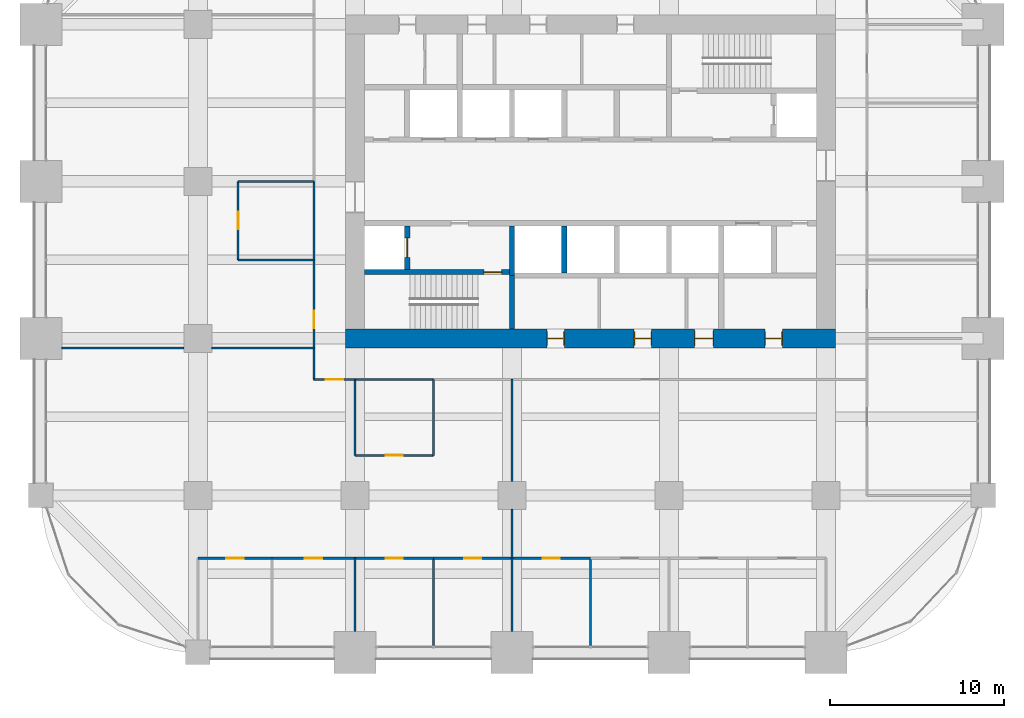
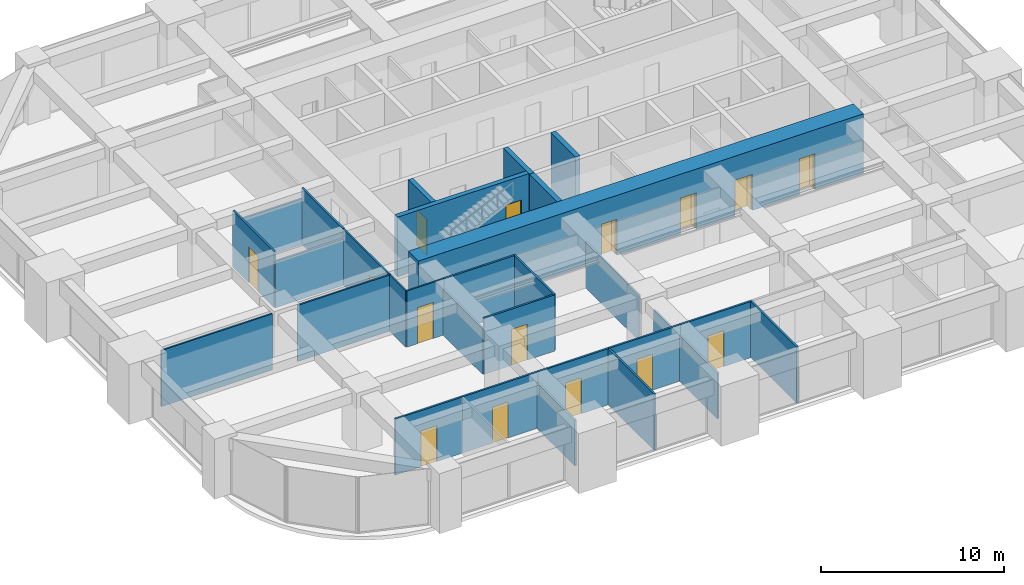
# One storey, part 29 of 32: 29 walls, 15 doors, 15 openings.
"""IFC4 building model written with IfcOpenShell, lengths in metres."""

from ifc_helpers import new_model, si_unit, direction, frame, frame_2d, origin, place, context, subcontext, project, spatial, rectangle, extrude, material, layer, layer_set, type_object, element, fill, save


model = new_model("IFC4")

# Units and contexts
model_context = context("Model", 3, precision=1e-05, world=origin(), true_north=direction((0.0, 1.0)))
body_context = subcontext(model_context, "Body", "Model", "MODEL_VIEW")
ifc_project = project(units=[si_unit("LENGTHUNIT", "METRE"), si_unit("AREAUNIT", "SQUARE_METRE"), si_unit("VOLUMEUNIT", "CUBIC_METRE"), si_unit("PLANEANGLEUNIT", "RADIAN"), si_unit("MASSUNIT", "GRAM", prefix="KILO")], contexts=[model_context])

# Site, building, storey
site_placement = place(None, origin())
site = spatial("IfcSite", under=ifc_project, at=site_placement, CompositionType="ELEMENT")
building_placement = place(site_placement, origin())
building = spatial("IfcBuilding", under=site, at=building_placement, Name="Zorevar Civic Tower", CompositionType="ELEMENT")
storey_placement = place(building_placement, frame((0.0, 0.0, 182.199951171875)))
storey = spatial("IfcBuildingStorey", under=building, at=storey_placement, Name="L44", CompositionType="ELEMENT", Elevation=182.199951171875)

# Wall, openings, doors
ifc_material_1 = material(Name="Concrete C50/60", Category="concrete")
ifc_layer_1 = layer(ifc_material_1, 1.10009765625)
ifc_layer_set_1 = layer_set([ifc_layer_1], Name="Core wall 1100")
wall_type_1 = type_object("IfcWallType", Name="Core wall 1100", PredefinedType="SHEAR", material=ifc_layer_set_1)
wall_1_placement = place(storey_placement, frame((17.449951171875, 18.0, 0.0), z_axis=(0.0, 0.0, 1.0), x_axis=(1.0, 0.0, 0.0)))
wall_1 = element("IfcWall", 1, at=wall_1_placement, inside=storey, type_object=wall_type_1, Name="Core wall S L44", PredefinedType="SHEAR", context=body_context, shape_type="SweptSolid", body=[
    extrude(rectangle(XDim=28.10009765625, YDim=1.10009765625, at=frame_2d((14.050048828125, 0.0))), origin(), (0.0, 0.0, 1.0), 4.0),
])
opening_1_placement = place(wall_1_placement, frame((11.550048828125, 0.0, 0.0)))
opening_1 = element("IfcOpeningElement", 2, at=opening_1_placement, cuts=wall_1, Name="Opening L44.03", PredefinedType="OPENING", context=body_context, shape_type="SweptSolid", body=[
    extrude(rectangle(XDim=1.0, YDim=2.39990234375, at=frame_2d((0.5, 1.199951171875))), frame((0.0, 0.56005859375, 0.0), z_axis=(0.0, -1.0, 0.0), x_axis=(1.0, 0.0, 0.0)), (0.0, 0.0, 1.0), 1.1201171875),
])
opening_2_placement = place(wall_1_placement, frame((16.550048828125, 0.0, 0.0)))
opening_2 = element("IfcOpeningElement", 3, at=opening_2_placement, cuts=wall_1, Name="Opening L44.04", PredefinedType="OPENING", context=body_context, shape_type="SweptSolid", body=[
    extrude(rectangle(XDim=1.0, YDim=2.39990234375, at=frame_2d((0.5, 1.199951171875))), frame((0.0, 0.56005859375, 0.0), z_axis=(0.0, -1.0, 0.0), x_axis=(1.0, 0.0, 0.0)), (0.0, 0.0, 1.0), 1.1201171875),
])
opening_3_placement = place(wall_1_placement, frame((20.0, 0.0, 0.0)))
opening_3 = element("IfcOpeningElement", 4, at=opening_3_placement, cuts=wall_1, Name="Opening L44.05", PredefinedType="OPENING", context=body_context, shape_type="SweptSolid", body=[
    extrude(rectangle(XDim=1.10009765625, YDim=2.39990234375, at=frame_2d((0.550048828125, 1.199951171875))), frame((0.0, 0.56005859375, 0.0), z_axis=(0.0, -1.0, 0.0), x_axis=(1.0, 0.0, 0.0)), (0.0, 0.0, 1.0), 1.1201171875),
])
opening_4_placement = place(wall_1_placement, frame((24.050048828125, 0.0, 0.0)))
opening_4 = element("IfcOpeningElement", 5, at=opening_4_placement, cuts=wall_1, Name="Opening L44.06", PredefinedType="OPENING", context=body_context, shape_type="SweptSolid", body=[
    extrude(rectangle(XDim=1.0, YDim=2.39990234375, at=frame_2d((0.5, 1.199951171875))), frame((0.0, 0.56005859375, 0.0), z_axis=(0.0, -1.0, 0.0), x_axis=(1.0, 0.0, 0.0)), (0.0, 0.0, 1.0), 1.1201171875),
])
ifc_material_2 = material(Name="Timber door set", Category="wood")
door_type_1 = type_object("IfcDoorType", Name="Door D1 1000x2400", OperationType="SINGLE_SWING_LEFT", PredefinedType="DOOR", material=ifc_material_2)
door_1_placement = place(opening_1_placement, origin())
door_1 = element("IfcDoor", 6, at=door_1_placement, inside=storey, type_object=door_type_1, Name="Door L44 02", OperationType="SINGLE_SWING_RIGHT", OverallHeight=2.39990234375, OverallWidth=1.0, PredefinedType="DOOR", context=body_context, shape_type="SweptSolid", body=[
    extrude(rectangle(XDim=1.0, YDim=2.39990234375, at=frame_2d((0.5, 1.199951171875))), frame((0.0, 0.02490234375, 0.0), z_axis=(0.0, -1.0, 0.0), x_axis=(1.0, 0.0, 0.0)), (0.0, 0.0, 1.0), 0.050048828125),
    extrude(rectangle(XDim=0.04, YDim=2.39990234375, at=frame_2d((0.02001953125, 1.199951171875))), frame((0.0, 0.39990234375, 0.0), z_axis=(0.0, -1.0, 0.0), x_axis=(1.0, 0.0, 0.0)), (0.0, 0.0, 1.0), 0.800048828125),
    extrude(rectangle(XDim=0.04, YDim=2.39990234375, at=frame_2d((0.97998046875, 1.199951171875))), frame((0.0, 0.39990234375, 0.0), z_axis=(0.0, -1.0, 0.0), x_axis=(1.0, 0.0, 0.0)), (0.0, 0.0, 1.0), 0.800048828125),
    extrude(rectangle(XDim=1.0, YDim=0.04, at=frame_2d((0.5, 2.3798828125))), frame((0.0, 0.39990234375, 0.0), z_axis=(0.0, -1.0, 0.0), x_axis=(1.0, 0.0, 0.0)), (0.0, 0.0, 1.0), 0.800048828125),
])
fill(opening_1, door_1)
door_2_placement = place(opening_2_placement, origin())
door_2 = element("IfcDoor", 7, at=door_2_placement, inside=storey, type_object=door_type_1, Name="Door L44 03", OperationType="SINGLE_SWING_LEFT", OverallHeight=2.39990234375, OverallWidth=1.0, PredefinedType="DOOR", context=body_context, shape_type="SweptSolid", body=[
    extrude(rectangle(XDim=1.0, YDim=2.39990234375, at=frame_2d((0.5, 1.199951171875))), frame((0.0, 0.02490234375, 0.0), z_axis=(0.0, -1.0, 0.0), x_axis=(1.0, 0.0, 0.0)), (0.0, 0.0, 1.0), 0.050048828125),
    extrude(rectangle(XDim=0.04, YDim=2.39990234375, at=frame_2d((0.02001953125, 1.199951171875))), frame((0.0, 0.39990234375, 0.0), z_axis=(0.0, -1.0, 0.0), x_axis=(1.0, 0.0, 0.0)), (0.0, 0.0, 1.0), 0.800048828125),
    extrude(rectangle(XDim=0.04, YDim=2.39990234375, at=frame_2d((0.97998046875, 1.199951171875))), frame((0.0, 0.39990234375, 0.0), z_axis=(0.0, -1.0, 0.0), x_axis=(1.0, 0.0, 0.0)), (0.0, 0.0, 1.0), 0.800048828125),
    extrude(rectangle(XDim=1.0, YDim=0.04, at=frame_2d((0.5, 2.3798828125))), frame((0.0, 0.39990234375, 0.0), z_axis=(0.0, -1.0, 0.0), x_axis=(1.0, 0.0, 0.0)), (0.0, 0.0, 1.0), 0.800048828125),
])
fill(opening_2, door_2)
door_3_placement = place(opening_4_placement, origin())
door_3 = element("IfcDoor", 8, at=door_3_placement, inside=storey, type_object=door_type_1, Name="Door L44 05", OperationType="SINGLE_SWING_LEFT", OverallHeight=2.39990234375, OverallWidth=1.0, PredefinedType="DOOR", context=body_context, shape_type="SweptSolid", body=[
    extrude(rectangle(XDim=1.0, YDim=2.39990234375, at=frame_2d((0.5, 1.199951171875))), frame((0.0, 0.02490234375, 0.0), z_axis=(0.0, -1.0, 0.0), x_axis=(1.0, 0.0, 0.0)), (0.0, 0.0, 1.0), 0.050048828125),
    extrude(rectangle(XDim=0.04, YDim=2.39990234375, at=frame_2d((0.02001953125, 1.199951171875))), frame((0.0, 0.39990234375, 0.0), z_axis=(0.0, -1.0, 0.0), x_axis=(1.0, 0.0, 0.0)), (0.0, 0.0, 1.0), 0.800048828125),
    extrude(rectangle(XDim=0.04, YDim=2.39990234375, at=frame_2d((0.97998046875, 1.199951171875))), frame((0.0, 0.39990234375, 0.0), z_axis=(0.0, -1.0, 0.0), x_axis=(1.0, 0.0, 0.0)), (0.0, 0.0, 1.0), 0.800048828125),
    extrude(rectangle(XDim=1.0, YDim=0.04, at=frame_2d((0.5, 2.3798828125))), frame((0.0, 0.39990234375, 0.0), z_axis=(0.0, -1.0, 0.0), x_axis=(1.0, 0.0, 0.0)), (0.0, 0.0, 1.0), 0.800048828125),
])
fill(opening_4, door_3)
ifc_material_3 = material(Name="Timber door set", Category="wood")
door_type_2 = type_object("IfcDoorType", Name="Door D5 1100x2400", OperationType="SINGLE_SWING_LEFT", PredefinedType="DOOR", material=ifc_material_3)
door_4_placement = place(opening_3_placement, origin())
door_4 = element("IfcDoor", 9, at=door_4_placement, inside=storey, type_object=door_type_2, Name="Door L44 04", OperationType="SINGLE_SWING_LEFT", OverallHeight=2.39990234375, OverallWidth=1.10009765625, PredefinedType="DOOR", context=body_context, shape_type="SweptSolid", body=[
    extrude(rectangle(XDim=1.10009765625, YDim=2.39990234375, at=frame_2d((0.550048828125, 1.199951171875))), frame((0.0, 0.02490234375, 0.0), z_axis=(0.0, -1.0, 0.0), x_axis=(1.0, 0.0, 0.0)), (0.0, 0.0, 1.0), 0.050048828125),
    extrude(rectangle(XDim=0.04, YDim=2.39990234375, at=frame_2d((0.02001953125, 1.199951171875))), frame((0.0, 0.43994140625, 0.0), z_axis=(0.0, -1.0, 0.0), x_axis=(1.0, 0.0, 0.0)), (0.0, 0.0, 1.0), 0.880126953125),
    extrude(rectangle(XDim=0.04, YDim=2.39990234375, at=frame_2d((1.080078125, 1.199951171875))), frame((0.0, 0.43994140625, 0.0), z_axis=(0.0, -1.0, 0.0), x_axis=(1.0, 0.0, 0.0)), (0.0, 0.0, 1.0), 0.880126953125),
    extrude(rectangle(XDim=1.10009765625, YDim=0.04, at=frame_2d((0.550048828125, 2.3798828125))), frame((0.0, 0.43994140625, 0.0), z_axis=(0.0, -1.0, 0.0), x_axis=(1.0, 0.0, 0.0)), (0.0, 0.0, 1.0), 0.880126953125),
])
fill(opening_3, door_4)

# Wall, opening, door
ifc_material_4 = material(Name="Laminated glass in black aluminium frame", Category="aluminium")
ifc_layer_2 = layer(ifc_material_4, 0.10009765625)
ifc_layer_set_2 = layer_set([ifc_layer_2], Name="Glazed partition 100")
wall_type_2 = type_object("IfcWallType", Name="Glazed partition 100", PredefinedType="PARTITIONING", material=ifc_layer_set_2)
wall_2_placement = place(storey_placement, frame((15.64990234375, 15.64990234375, 0.0), z_axis=(0.0, 0.0, 1.0), x_axis=(1.0, 0.0, 0.0)))
wall_2 = element("IfcWall", 10, at=wall_2_placement, inside=storey, type_object=wall_type_2, Name="Glazed partition 100 L44", PredefinedType="PARTITIONING", context=body_context, shape_type="SweptSolid", body=[
    extrude(rectangle(XDim=2.35009765625, YDim=0.10009765625, at=frame_2d((1.175048828125, 0.0))), origin(), (0.0, 0.0, 1.0), 3.75),
])
opening_5_placement = place(wall_2_placement, frame((0.675048828125, 0.0, 0.0)))
opening_5 = element("IfcOpeningElement", 11, at=opening_5_placement, cuts=wall_2, Name="Opening L44.26", PredefinedType="OPENING", context=body_context, shape_type="SweptSolid", body=[
    extrude(rectangle(XDim=1.0, YDim=2.39990234375, at=frame_2d((0.5, 1.199951171875))), frame((0.0, 0.06005859375, 0.0), z_axis=(0.0, -1.0, 0.0), x_axis=(1.0, 0.0, 0.0)), (0.0, 0.0, 1.0), 0.1201171875),
])
ifc_material_5 = material(Name="Timber door set", Category="wood")
door_type_3 = type_object("IfcDoorType", Name="Glazed door GD1 1000x2400", OperationType="SINGLE_SWING_LEFT", PredefinedType="DOOR", material=ifc_material_5)
door_5_placement = place(opening_5_placement, origin())
door_5 = element("IfcDoor", 12, at=door_5_placement, inside=storey, type_object=door_type_3, Name="Door L44 D1", OperationType="SINGLE_SWING_RIGHT", OverallHeight=2.39990234375, OverallWidth=1.0, PredefinedType="DOOR", context=body_context, shape_type="SweptSolid", body=[
    extrude(rectangle(XDim=1.0, YDim=2.39990234375, at=frame_2d((0.5, 1.199951171875))), frame((0.0, 0.02001953125, 0.0), z_axis=(0.0, -1.0, 0.0), x_axis=(1.0, 0.0, 0.0)), (0.0, 0.0, 1.0), 0.0400390625),
])
fill(opening_5, door_5)

# Walls
wall_3_placement = place(storey_placement, frame((1.199951171875, 17.449951171875, 0.0), z_axis=(0.0, 0.0, 1.0), x_axis=(1.0, 0.0, 0.0)))
element("IfcWall", 13, at=wall_3_placement, inside=storey, type_object=wall_type_2, Name="Glazed partition 100 L44", PredefinedType="PARTITIONING", context=body_context, shape_type="SweptSolid", body=[
    extrude(rectangle(XDim=7.0, YDim=0.10009765625, at=frame_2d((3.5, 0.0))), origin(), (0.0, 0.0, 1.0), 3.75),
])
wall_4_placement = place(storey_placement, frame((9.800048828125, 17.449951171875, 0.0), z_axis=(0.0, 0.0, 1.0), x_axis=(1.0, 0.0, 0.0)))
element("IfcWall", 14, at=wall_4_placement, inside=storey, type_object=wall_type_2, Name="Glazed partition 100 L44", PredefinedType="PARTITIONING", context=body_context, shape_type="SweptSolid", body=[
    extrude(rectangle(XDim=5.849853515625, YDim=0.10009765625, at=frame_2d((2.9248046875, 0.0))), origin(), (0.0, 0.0, 1.0), 3.75),
])

# Wall, opening, door
wall_5_placement = place(storey_placement, frame((15.64990234375, 15.64990234375, 0.0), z_axis=(0.0, 0.0, 1.0), x_axis=(0.0, 1.0, 0.0)))
wall_5 = element("IfcWall", 15, at=wall_5_placement, inside=storey, type_object=wall_type_2, Name="Glazed partition 100 L44", PredefinedType="PARTITIONING", context=body_context, shape_type="SweptSolid", body=[
    extrude(rectangle(XDim=6.85009765625, YDim=0.10009765625, at=frame_2d((3.425048828125, 0.0))), origin(), (0.0, 0.0, 1.0), 3.75),
])
opening_6_placement = place(wall_5_placement, frame((2.925048828125, 0.0, 0.0)))
opening_6 = element("IfcOpeningElement", 16, at=opening_6_placement, cuts=wall_5, Name="Opening L44.31", PredefinedType="OPENING", context=body_context, shape_type="SweptSolid", body=[
    extrude(rectangle(XDim=1.0, YDim=2.39990234375, at=frame_2d((0.5, 1.199951171875))), frame((0.0, 0.06005859375, 0.0), z_axis=(0.0, -1.0, 0.0), x_axis=(1.0, 0.0, 0.0)), (0.0, 0.0, 1.0), 0.1201171875),
])
door_6_placement = place(opening_6_placement, origin())
door_6 = element("IfcDoor", 17, at=door_6_placement, inside=storey, type_object=door_type_3, Name="Door L44 D1", OperationType="SINGLE_SWING_RIGHT", OverallHeight=2.39990234375, OverallWidth=1.0, PredefinedType="DOOR", context=body_context, shape_type="SweptSolid", body=[
    extrude(rectangle(XDim=1.0, YDim=2.39990234375, at=frame_2d((0.5, 1.199951171875))), frame((0.0, 0.02001953125, 0.0), z_axis=(0.0, -1.0, 0.0), x_axis=(1.0, 0.0, 0.0)), (0.0, 0.0, 1.0), 0.0400390625),
])
fill(opening_6, door_6)

# Walls
wall_6_placement = place(storey_placement, frame((27.0, 5.39990234375, 0.0), z_axis=(0.0, 0.0, 1.0), x_axis=(0.0, 1.0, 0.0)))
element("IfcWall", 18, at=wall_6_placement, inside=storey, type_object=wall_type_2, Name="Glazed partition 100 L44", PredefinedType="PARTITIONING", context=body_context, shape_type="SweptSolid", body=[
    extrude(rectangle(XDim=2.800048828125, YDim=0.10009765625, at=frame_2d((1.39990234375, 0.0))), origin(), (0.0, 0.0, 1.0), 3.050048828125),
])
wall_7_placement = place(storey_placement, frame((27.0, 9.800048828125, 0.0), z_axis=(0.0, 0.0, 1.0), x_axis=(0.0, 1.0, 0.0)))
element("IfcWall", 19, at=wall_7_placement, inside=storey, type_object=wall_type_2, Name="Glazed partition 100 L44", PredefinedType="PARTITIONING", context=body_context, shape_type="SweptSolid", body=[
    extrude(rectangle(XDim=5.849853515625, YDim=0.10009765625, at=frame_2d((2.9248046875, 0.0))), origin(), (0.0, 0.0, 1.0), 3.050048828125),
])

# Wall, opening, door
ifc_material_6 = material(Name="Concrete C40/50", Category="concrete")
ifc_layer_3 = layer(ifc_material_6, 0.300048828125)
ifc_layer_set_3 = layer_set([ifc_layer_3], Name="Inner core wall 300")
wall_type_3 = type_object("IfcWallType", Name="Inner core wall 300", PredefinedType="SHEAR", material=ifc_layer_set_3)
wall_8_placement = place(storey_placement, frame((18.550048828125, 21.800048828125, 0.0), z_axis=(0.0, 0.0, 1.0), x_axis=(1.0, 0.0, 0.0)))
wall_8 = element("IfcWall", 20, at=wall_8_placement, inside=storey, type_object=wall_type_3, Name="Inner core wall S00 L44", PredefinedType="SHEAR", context=body_context, shape_type="SweptSolid", body=[
    extrude(rectangle(XDim=8.300048828125, YDim=0.300048828125, at=frame_2d((4.14990234375, 0.0))), origin(), (0.0, 0.0, 1.0), 4.0),
])
opening_7_placement = place(wall_8_placement, frame((6.85009765625, 0.0, 0.0)))
opening_7 = element("IfcOpeningElement", 21, at=opening_7_placement, cuts=wall_8, Name="Opening L44.11", PredefinedType="OPENING", context=body_context, shape_type="SweptSolid", body=[
    extrude(rectangle(XDim=1.0, YDim=2.39990234375, at=frame_2d((0.5, 1.199951171875))), frame((0.0, 0.159912109375, 0.0), z_axis=(0.0, -1.0, 0.0), x_axis=(1.0, 0.0, 0.0)), (0.0, 0.0, 1.0), 0.320068359375),
])
ifc_material_7 = material(Name="Steel door set", Category="steel")
door_type_4 = type_object("IfcDoorType", Name="Fire door FD1 1000x2400", OperationType="SINGLE_SWING_LEFT", PredefinedType="DOOR", material=ifc_material_7)
door_7_placement = place(opening_7_placement, origin())
door_7 = element("IfcDoor", 22, at=door_7_placement, inside=storey, type_object=door_type_4, Name="Door L44 10", OperationType="SINGLE_SWING_RIGHT", OverallHeight=2.39990234375, OverallWidth=1.0, PredefinedType="DOOR", context=body_context, shape_type="SweptSolid", body=[
    extrude(rectangle(XDim=1.0, YDim=2.39990234375, at=frame_2d((0.5, 1.199951171875))), frame((0.0, 0.030029296875, 0.0), z_axis=(0.0, -1.0, 0.0), x_axis=(1.0, 0.0, 0.0)), (0.0, 0.0, 1.0), 0.06005859375),
])
fill(opening_7, door_7)

# Wall
wall_9_placement = place(storey_placement, frame((27.0, 18.550048828125, 0.0), z_axis=(0.0, 0.0, 1.0), x_axis=(0.0, 1.0, 0.0)))
element("IfcWall", 23, at=wall_9_placement, inside=storey, type_object=wall_type_3, Name="Inner core wall S01 L44", PredefinedType="SHEAR", context=body_context, shape_type="SweptSolid", body=[
    extrude(rectangle(XDim=3.050048828125, YDim=0.300048828125, at=frame_2d((1.52490234375, 0.0))), origin(), (0.0, 0.0, 1.0), 4.0),
])

# Wall, opening, door
wall_10_placement = place(storey_placement, frame((21.0, 21.949951171875, 0.0), z_axis=(0.0, 0.0, 1.0), x_axis=(0.0, 1.0, 0.0)))
wall_10 = element("IfcWall", 24, at=wall_10_placement, inside=storey, type_object=wall_type_3, Name="Inner core wall S02 L44", PredefinedType="SHEAR", context=body_context, shape_type="SweptSolid", body=[
    extrude(rectangle(XDim=2.5, YDim=0.300048828125, at=frame_2d((1.25, 0.0))), origin(), (0.0, 0.0, 1.0), 4.0),
])
opening_8_placement = place(wall_10_placement, frame((0.699951171875, 0.0, 0.0)))
opening_8 = element("IfcOpeningElement", 25, at=opening_8_placement, cuts=wall_10, Name="Opening L44.FL1", PredefinedType="OPENING", context=body_context, shape_type="SweptSolid", body=[
    extrude(rectangle(XDim=1.10009765625, YDim=2.39990234375, at=frame_2d((0.550048828125, 1.199951171875))), frame((0.0, 0.159912109375, 0.0), z_axis=(0.0, -1.0, 0.0), x_axis=(1.0, 0.0, 0.0)), (0.0, 0.0, 1.0), 0.320068359375),
])
ifc_material_8 = material(Name="Steel door set", Category="steel")
door_type_5 = type_object("IfcDoorType", Name="Firefighting lift landing door LD3 1100x2400", OperationType="DOUBLE_DOOR_SLIDING", PredefinedType="DOOR", material=ifc_material_8)
door_8_placement = place(opening_8_placement, origin())
door_8 = element("IfcDoor", 26, at=door_8_placement, inside=storey, type_object=door_type_5, Name="Landing door FL1 L44", OperationType="DOUBLE_DOOR_SLIDING", OverallHeight=2.39990234375, OverallWidth=1.10009765625, PredefinedType="DOOR", context=body_context, shape_type="SweptSolid", body=[
    extrude(rectangle(XDim=1.10009765625, YDim=2.39990234375, at=frame_2d((0.550048828125, 1.199951171875))), frame((0.0, 0.030029296875, 0.0), z_axis=(0.0, -1.0, 0.0), x_axis=(1.0, 0.0, 0.0)), (0.0, 0.0, 1.0), 0.06005859375),
])
fill(opening_8, door_8)

# Walls
wall_11_placement = place(storey_placement, frame((30.0, 21.75, 0.0), z_axis=(0.0, 0.0, 1.0), x_axis=(0.0, 1.0, 0.0)))
element("IfcWall", 27, at=wall_11_placement, inside=storey, type_object=wall_type_3, Name="Inner core wall S05 L44", PredefinedType="SHEAR", context=body_context, shape_type="SweptSolid", body=[
    extrude(rectangle(XDim=2.699951171875, YDim=0.300048828125, at=frame_2d((1.35009765625, 0.0))), origin(), (0.0, 0.0, 1.0), 4.0),
])
wall_12_placement = place(storey_placement, frame((27.0, 21.60009765625, 0.0), z_axis=(0.0, 0.0, 1.0), x_axis=(0.0, 1.0, 0.0)))
element("IfcWall", 28, at=wall_12_placement, inside=storey, type_object=wall_type_3, Name="Inner core wall S10 L44", PredefinedType="SHEAR", context=body_context, shape_type="SweptSolid", body=[
    extrude(rectangle(XDim=2.849853515625, YDim=0.300048828125, at=frame_2d((1.4248046875, 0.0))), origin(), (0.0, 0.0, 1.0), 4.0),
])

# Wall, opening, door
ifc_material_9 = material(Name="Gypsum board on steel studs", Category="steel")
ifc_layer_4 = layer(ifc_material_9, 0.1201171875)
ifc_layer_set_4 = layer_set([ifc_layer_4], Name="Partition 120")
wall_type_4 = type_object("IfcWallType", Name="Partition 120", PredefinedType="PARTITIONING", material=ifc_layer_set_4)
wall_13_placement = place(storey_placement, frame((9.0, 5.39990234375, 0.0), z_axis=(0.0, 0.0, 1.0), x_axis=(1.0, 0.0, 0.0)))
wall_13 = element("IfcWall", 29, at=wall_13_placement, inside=storey, type_object=wall_type_4, Name="Partition 120 L44", PredefinedType="PARTITIONING", context=body_context, shape_type="SweptSolid", body=[
    extrude(rectangle(XDim=4.25, YDim=0.1201171875, at=frame_2d((2.125, 0.0))), origin(), (0.0, 0.0, 1.0), 3.75),
])
opening_9_placement = place(wall_13_placement, frame((1.625, 0.0, 0.0)))
opening_9 = element("IfcOpeningElement", 30, at=opening_9_placement, cuts=wall_13, Name="Opening L44.17", PredefinedType="OPENING", context=body_context, shape_type="SweptSolid", body=[
    extrude(rectangle(XDim=1.0, YDim=2.39990234375, at=frame_2d((0.5, 1.199951171875))), frame((0.0, 0.070068359375, 0.0), z_axis=(0.0, -1.0, 0.0), x_axis=(1.0, 0.0, 0.0)), (0.0, 0.0, 1.0), 0.14013671875),
])
door_9_placement = place(opening_9_placement, origin())
door_9 = element("IfcDoor", 31, at=door_9_placement, inside=storey, type_object=door_type_1, Name="Door L44 D1", OperationType="SINGLE_SWING_RIGHT", OverallHeight=2.39990234375, OverallWidth=1.0, PredefinedType="DOOR", context=body_context, shape_type="SweptSolid", body=[
    extrude(rectangle(XDim=1.0, YDim=2.39990234375, at=frame_2d((0.5, 1.199951171875))), frame((0.0, 0.02490234375, 0.0), z_axis=(0.0, -1.0, 0.0), x_axis=(1.0, 0.0, 0.0)), (0.0, 0.0, 1.0), 0.050048828125),
])
fill(opening_9, door_9)

wall_14_placement = place(storey_placement, frame((13.25, 5.39990234375, 0.0), z_axis=(0.0, 0.0, 1.0), x_axis=(1.0, 0.0, 0.0)))
wall_14 = element("IfcWall", 32, at=wall_14_placement, inside=storey, type_object=wall_type_4, Name="Partition 120 L44", PredefinedType="PARTITIONING", context=body_context, shape_type="SweptSolid", body=[
    extrude(rectangle(XDim=4.75, YDim=0.1201171875, at=frame_2d((2.375, 0.0))), origin(), (0.0, 0.0, 1.0), 3.75),
])
opening_10_placement = place(wall_14_placement, frame((1.875, 0.0, 0.0)))
opening_10 = element("IfcOpeningElement", 33, at=opening_10_placement, cuts=wall_14, Name="Opening L44.18", PredefinedType="OPENING", context=body_context, shape_type="SweptSolid", body=[
    extrude(rectangle(XDim=1.0, YDim=2.39990234375, at=frame_2d((0.5, 1.199951171875))), frame((0.0, 0.070068359375, 0.0), z_axis=(0.0, -1.0, 0.0), x_axis=(1.0, 0.0, 0.0)), (0.0, 0.0, 1.0), 0.14013671875),
])
door_10_placement = place(opening_10_placement, origin())
door_10 = element("IfcDoor", 34, at=door_10_placement, inside=storey, type_object=door_type_1, Name="Door L44 D1", OperationType="SINGLE_SWING_LEFT", OverallHeight=2.39990234375, OverallWidth=1.0, PredefinedType="DOOR", context=body_context, shape_type="SweptSolid", body=[
    extrude(rectangle(XDim=1.0, YDim=2.39990234375, at=frame_2d((0.5, 1.199951171875))), frame((0.0, 0.02490234375, 0.0), z_axis=(0.0, -1.0, 0.0), x_axis=(1.0, 0.0, 0.0)), (0.0, 0.0, 1.0), 0.050048828125),
])
fill(opening_10, door_10)

wall_15_placement = place(storey_placement, frame((18.0, 5.39990234375, 0.0), z_axis=(0.0, 0.0, 1.0), x_axis=(1.0, 0.0, 0.0)))
wall_15 = element("IfcWall", 35, at=wall_15_placement, inside=storey, type_object=wall_type_4, Name="Partition 120 L44", PredefinedType="PARTITIONING", context=body_context, shape_type="SweptSolid", body=[
    extrude(rectangle(XDim=4.5, YDim=0.1201171875, at=frame_2d((2.25, 0.0))), origin(), (0.0, 0.0, 1.0), 3.75),
])
opening_11_placement = place(wall_15_placement, frame((1.75, 0.0, 0.0)))
opening_11 = element("IfcOpeningElement", 36, at=opening_11_placement, cuts=wall_15, Name="Opening L44.19", PredefinedType="OPENING", context=body_context, shape_type="SweptSolid", body=[
    extrude(rectangle(XDim=1.0, YDim=2.39990234375, at=frame_2d((0.5, 1.199951171875))), frame((0.0, 0.070068359375, 0.0), z_axis=(0.0, -1.0, 0.0), x_axis=(1.0, 0.0, 0.0)), (0.0, 0.0, 1.0), 0.14013671875),
])
door_11_placement = place(opening_11_placement, origin())
door_11 = element("IfcDoor", 37, at=door_11_placement, inside=storey, type_object=door_type_1, Name="Door L44 D1", OperationType="SINGLE_SWING_LEFT", OverallHeight=2.39990234375, OverallWidth=1.0, PredefinedType="DOOR", context=body_context, shape_type="SweptSolid", body=[
    extrude(rectangle(XDim=1.0, YDim=2.39990234375, at=frame_2d((0.5, 1.199951171875))), frame((0.0, 0.02490234375, 0.0), z_axis=(0.0, -1.0, 0.0), x_axis=(1.0, 0.0, 0.0)), (0.0, 0.0, 1.0), 0.050048828125),
])
fill(opening_11, door_11)

wall_16_placement = place(storey_placement, frame((22.5, 5.39990234375, 0.0), z_axis=(0.0, 0.0, 1.0), x_axis=(1.0, 0.0, 0.0)))
wall_16 = element("IfcWall", 38, at=wall_16_placement, inside=storey, type_object=wall_type_4, Name="Partition 120 L44", PredefinedType="PARTITIONING", context=body_context, shape_type="SweptSolid", body=[
    extrude(rectangle(XDim=4.5, YDim=0.1201171875, at=frame_2d((2.25, 0.0))), origin(), (0.0, 0.0, 1.0), 3.75),
])
opening_12_placement = place(wall_16_placement, frame((1.75, 0.0, 0.0)))
opening_12 = element("IfcOpeningElement", 39, at=opening_12_placement, cuts=wall_16, Name="Opening L44.20", PredefinedType="OPENING", context=body_context, shape_type="SweptSolid", body=[
    extrude(rectangle(XDim=1.0, YDim=2.39990234375, at=frame_2d((0.5, 1.199951171875))), frame((0.0, 0.070068359375, 0.0), z_axis=(0.0, -1.0, 0.0), x_axis=(1.0, 0.0, 0.0)), (0.0, 0.0, 1.0), 0.14013671875),
])
door_12_placement = place(opening_12_placement, origin())
door_12 = element("IfcDoor", 40, at=door_12_placement, inside=storey, type_object=door_type_1, Name="Door L44 D1", OperationType="SINGLE_SWING_LEFT", OverallHeight=2.39990234375, OverallWidth=1.0, PredefinedType="DOOR", context=body_context, shape_type="SweptSolid", body=[
    extrude(rectangle(XDim=1.0, YDim=2.39990234375, at=frame_2d((0.5, 1.199951171875))), frame((0.0, 0.02490234375, 0.0), z_axis=(0.0, -1.0, 0.0), x_axis=(1.0, 0.0, 0.0)), (0.0, 0.0, 1.0), 0.050048828125),
])
fill(opening_12, door_12)

wall_17_placement = place(storey_placement, frame((27.0, 5.39990234375, 0.0), z_axis=(0.0, 0.0, 1.0), x_axis=(1.0, 0.0, 0.0)))
wall_17 = element("IfcWall", 41, at=wall_17_placement, inside=storey, type_object=wall_type_4, Name="Partition 120 L44", PredefinedType="PARTITIONING", context=body_context, shape_type="SweptSolid", body=[
    extrude(rectangle(XDim=4.5, YDim=0.1201171875, at=frame_2d((2.25, 0.0))), origin(), (0.0, 0.0, 1.0), 3.75),
])
opening_13_placement = place(wall_17_placement, frame((1.75, 0.0, 0.0)))
opening_13 = element("IfcOpeningElement", 42, at=opening_13_placement, cuts=wall_17, Name="Opening L44.21", PredefinedType="OPENING", context=body_context, shape_type="SweptSolid", body=[
    extrude(rectangle(XDim=1.0, YDim=2.39990234375, at=frame_2d((0.5, 1.199951171875))), frame((0.0, 0.070068359375, 0.0), z_axis=(0.0, -1.0, 0.0), x_axis=(1.0, 0.0, 0.0)), (0.0, 0.0, 1.0), 0.14013671875),
])
door_13_placement = place(opening_13_placement, origin())
door_13 = element("IfcDoor", 43, at=door_13_placement, inside=storey, type_object=door_type_1, Name="Door L44 D1", OperationType="SINGLE_SWING_RIGHT", OverallHeight=2.39990234375, OverallWidth=1.0, PredefinedType="DOOR", context=body_context, shape_type="SweptSolid", body=[
    extrude(rectangle(XDim=1.0, YDim=2.39990234375, at=frame_2d((0.5, 1.199951171875))), frame((0.0, 0.02490234375, 0.0), z_axis=(0.0, -1.0, 0.0), x_axis=(1.0, 0.0, 0.0)), (0.0, 0.0, 1.0), 0.050048828125),
])
fill(opening_13, door_13)

wall_18_placement = place(storey_placement, frame((18.0, 11.300048828125, 0.0), z_axis=(0.0, 0.0, 1.0), x_axis=(1.0, 0.0, 0.0)))
wall_18 = element("IfcWall", 44, at=wall_18_placement, inside=storey, type_object=wall_type_4, Name="Partition 120 L44", PredefinedType="PARTITIONING", context=body_context, shape_type="SweptSolid", body=[
    extrude(rectangle(XDim=4.5, YDim=0.1201171875, at=frame_2d((2.25, 0.0))), origin(), (0.0, 0.0, 1.0), 3.75),
])
opening_14_placement = place(wall_18_placement, frame((1.75, 0.0, 0.0)))
opening_14 = element("IfcOpeningElement", 45, at=opening_14_placement, cuts=wall_18, Name="Opening L44.25", PredefinedType="OPENING", context=body_context, shape_type="SweptSolid", body=[
    extrude(rectangle(XDim=1.0, YDim=2.39990234375, at=frame_2d((0.5, 1.199951171875))), frame((0.0, 0.070068359375, 0.0), z_axis=(0.0, -1.0, 0.0), x_axis=(1.0, 0.0, 0.0)), (0.0, 0.0, 1.0), 0.14013671875),
])
door_14_placement = place(opening_14_placement, origin())
door_14 = element("IfcDoor", 46, at=door_14_placement, inside=storey, type_object=door_type_1, Name="Door L44 D1", OperationType="SINGLE_SWING_RIGHT", OverallHeight=2.39990234375, OverallWidth=1.0, PredefinedType="DOOR", context=body_context, shape_type="SweptSolid", body=[
    extrude(rectangle(XDim=1.0, YDim=2.39990234375, at=frame_2d((0.5, 1.199951171875))), frame((0.0, 0.02490234375, 0.0), z_axis=(0.0, -1.0, 0.0), x_axis=(1.0, 0.0, 0.0)), (0.0, 0.0, 1.0), 0.050048828125),
])
fill(opening_14, door_14)

# Walls
wall_19_placement = place(storey_placement, frame((18.0, 15.64990234375, 0.0), z_axis=(0.0, 0.0, 1.0), x_axis=(1.0, 0.0, 0.0)))
element("IfcWall", 47, at=wall_19_placement, inside=storey, type_object=wall_type_4, Name="Partition 120 L44", PredefinedType="PARTITIONING", context=body_context, shape_type="SweptSolid", body=[
    extrude(rectangle(XDim=4.5, YDim=0.1201171875, at=frame_2d((2.25, 0.0))), origin(), (0.0, 0.0, 1.0), 3.75),
])
wall_20_placement = place(storey_placement, frame((11.300048828125, 22.5, 0.0), z_axis=(0.0, 0.0, 1.0), x_axis=(1.0, 0.0, 0.0)))
element("IfcWall", 48, at=wall_20_placement, inside=storey, type_object=wall_type_4, Name="Partition 120 L44", PredefinedType="PARTITIONING", context=body_context, shape_type="SweptSolid", body=[
    extrude(rectangle(XDim=4.349853515625, YDim=0.1201171875, at=frame_2d((2.1748046875, 0.0))), origin(), (0.0, 0.0, 1.0), 3.10009765625),
])
wall_21_placement = place(storey_placement, frame((11.300048828125, 27.0, 0.0), z_axis=(0.0, 0.0, 1.0), x_axis=(1.0, 0.0, 0.0)))
element("IfcWall", 49, at=wall_21_placement, inside=storey, type_object=wall_type_4, Name="Partition 120 L44", PredefinedType="PARTITIONING", context=body_context, shape_type="SweptSolid", body=[
    extrude(rectangle(XDim=4.349853515625, YDim=0.1201171875, at=frame_2d((2.1748046875, 0.0))), origin(), (0.0, 0.0, 1.0), 3.050048828125),
])

# Wall, opening, door
wall_22_placement = place(storey_placement, frame((11.300048828125, 22.5, 0.0), z_axis=(0.0, 0.0, 1.0), x_axis=(0.0, 1.0, 0.0)))
wall_22 = element("IfcWall", 50, at=wall_22_placement, inside=storey, type_object=wall_type_4, Name="Partition 120 L44", PredefinedType="PARTITIONING", context=body_context, shape_type="SweptSolid", body=[
    extrude(rectangle(XDim=4.5, YDim=0.1201171875, at=frame_2d((2.25, 0.0))), origin(), (0.0, 0.0, 1.0), 3.75),
])
opening_15_placement = place(wall_22_placement, frame((1.75, 0.0, 0.0)))
opening_15 = element("IfcOpeningElement", 51, at=opening_15_placement, cuts=wall_22, Name="Opening L44.30", PredefinedType="OPENING", context=body_context, shape_type="SweptSolid", body=[
    extrude(rectangle(XDim=1.0, YDim=2.39990234375, at=frame_2d((0.5, 1.199951171875))), frame((0.0, 0.070068359375, 0.0), z_axis=(0.0, -1.0, 0.0), x_axis=(1.0, 0.0, 0.0)), (0.0, 0.0, 1.0), 0.14013671875),
])
door_15_placement = place(opening_15_placement, origin())
door_15 = element("IfcDoor", 52, at=door_15_placement, inside=storey, type_object=door_type_1, Name="Door L44 D1", OperationType="SINGLE_SWING_RIGHT", OverallHeight=2.39990234375, OverallWidth=1.0, PredefinedType="DOOR", context=body_context, shape_type="SweptSolid", body=[
    extrude(rectangle(XDim=1.0, YDim=2.39990234375, at=frame_2d((0.5, 1.199951171875))), frame((0.0, 0.02490234375, 0.0), z_axis=(0.0, -1.0, 0.0), x_axis=(1.0, 0.0, 0.0)), (0.0, 0.0, 1.0), 0.050048828125),
])
fill(opening_15, door_15)

# Walls
wall_23_placement = place(storey_placement, frame((15.64990234375, 22.5, 0.0), z_axis=(0.0, 0.0, 1.0), x_axis=(0.0, 1.0, 0.0)))
element("IfcWall", 53, at=wall_23_placement, inside=storey, type_object=wall_type_4, Name="Partition 120 L44", PredefinedType="PARTITIONING", context=body_context, shape_type="SweptSolid", body=[
    extrude(rectangle(XDim=4.5, YDim=0.1201171875, at=frame_2d((2.25, 0.0))), origin(), (0.0, 0.0, 1.0), 3.75),
])
wall_24_placement = place(storey_placement, frame((18.0, 1.199951171875, 0.0), z_axis=(0.0, 0.0, 1.0), x_axis=(0.0, 1.0, 0.0)))
element("IfcWall", 54, at=wall_24_placement, inside=storey, type_object=wall_type_4, Name="Partition 120 L44", PredefinedType="PARTITIONING", context=body_context, shape_type="SweptSolid", body=[
    extrude(rectangle(XDim=4.199951171875, YDim=0.1201171875, at=frame_2d((2.10009765625, 0.0))), origin(), (0.0, 0.0, 1.0), 3.050048828125),
])
wall_25_placement = place(storey_placement, frame((18.0, 11.300048828125, 0.0), z_axis=(0.0, 0.0, 1.0), x_axis=(0.0, 1.0, 0.0)))
element("IfcWall", 55, at=wall_25_placement, inside=storey, type_object=wall_type_4, Name="Partition 120 L44", PredefinedType="PARTITIONING", context=body_context, shape_type="SweptSolid", body=[
    extrude(rectangle(XDim=4.349853515625, YDim=0.1201171875, at=frame_2d((2.1748046875, 0.0))), origin(), (0.0, 0.0, 1.0), 3.050048828125),
])
wall_26_placement = place(storey_placement, frame((22.5, 0.31005859375, 0.0), z_axis=(0.0, 0.0, 1.0), x_axis=(0.0, 1.0, 0.0)))
element("IfcWall", 56, at=wall_26_placement, inside=storey, type_object=wall_type_4, Name="Partition 120 L44", PredefinedType="PARTITIONING", context=body_context, shape_type="SweptSolid", body=[
    extrude(rectangle(XDim=5.08984375, YDim=0.1201171875, at=frame_2d((2.544921875, 0.0))), origin(), (0.0, 0.0, 1.0), 3.75),
])
wall_27_placement = place(storey_placement, frame((22.5, 11.300048828125, 0.0), z_axis=(0.0, 0.0, 1.0), x_axis=(0.0, 1.0, 0.0)))
element("IfcWall", 57, at=wall_27_placement, inside=storey, type_object=wall_type_4, Name="Partition 120 L44", PredefinedType="PARTITIONING", context=body_context, shape_type="SweptSolid", body=[
    extrude(rectangle(XDim=4.349853515625, YDim=0.1201171875, at=frame_2d((2.1748046875, 0.0))), origin(), (0.0, 0.0, 1.0), 3.75),
])
wall_28_placement = place(storey_placement, frame((27.0, 1.199951171875, 0.0), z_axis=(0.0, 0.0, 1.0), x_axis=(0.0, 1.0, 0.0)))
element("IfcWall", 58, at=wall_28_placement, inside=storey, type_object=wall_type_4, Name="Partition 120 L44", PredefinedType="PARTITIONING", context=body_context, shape_type="SweptSolid", body=[
    extrude(rectangle(XDim=4.199951171875, YDim=0.1201171875, at=frame_2d((2.10009765625, 0.0))), origin(), (0.0, 0.0, 1.0), 3.050048828125),
])
wall_29_placement = place(storey_placement, frame((31.5, 0.31005859375, 0.0), z_axis=(0.0, 0.0, 1.0), x_axis=(0.0, 1.0, 0.0)))
element("IfcWall", 59, at=wall_29_placement, inside=storey, type_object=wall_type_4, Name="Partition 120 L44", PredefinedType="PARTITIONING", context=body_context, shape_type="SweptSolid", body=[
    extrude(rectangle(XDim=5.08984375, YDim=0.1201171875, at=frame_2d((2.544921875, 0.0))), origin(), (0.0, 0.0, 1.0), 3.75),
])

save(model, "model.ifc")
